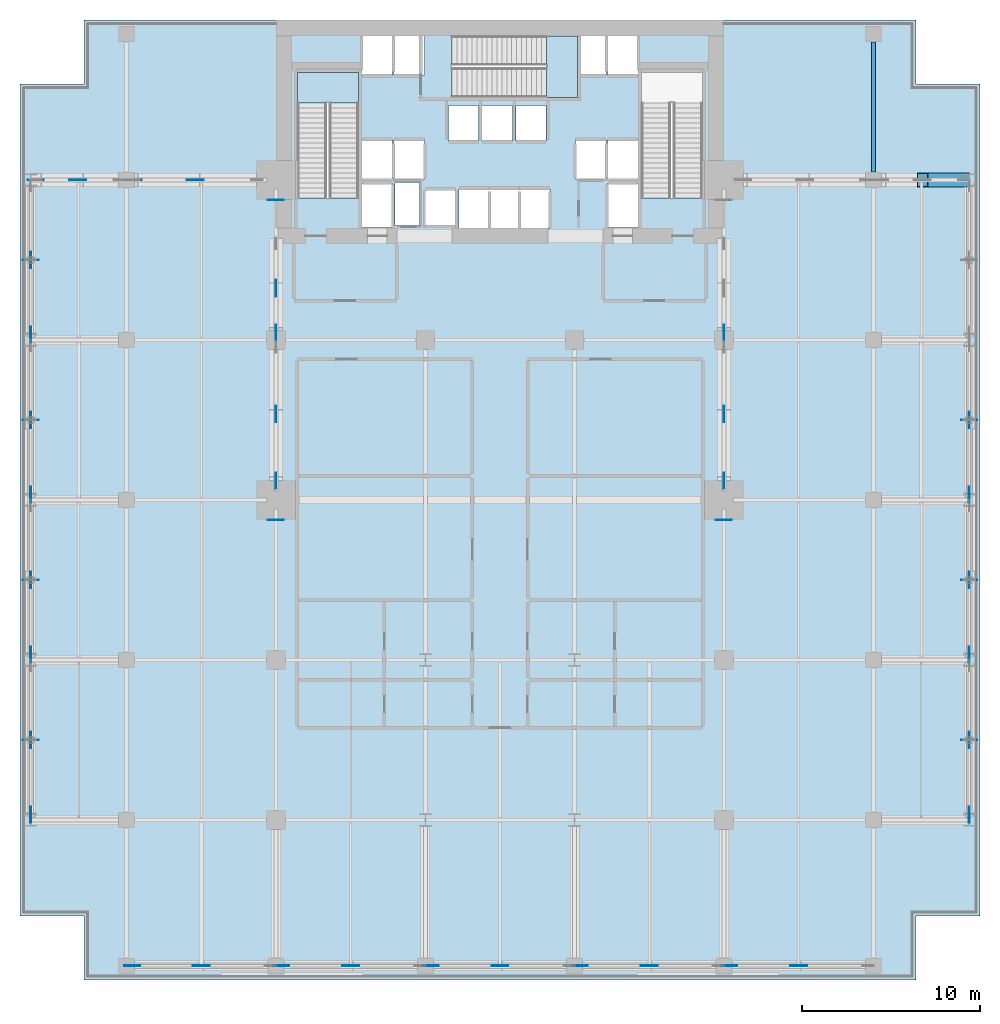
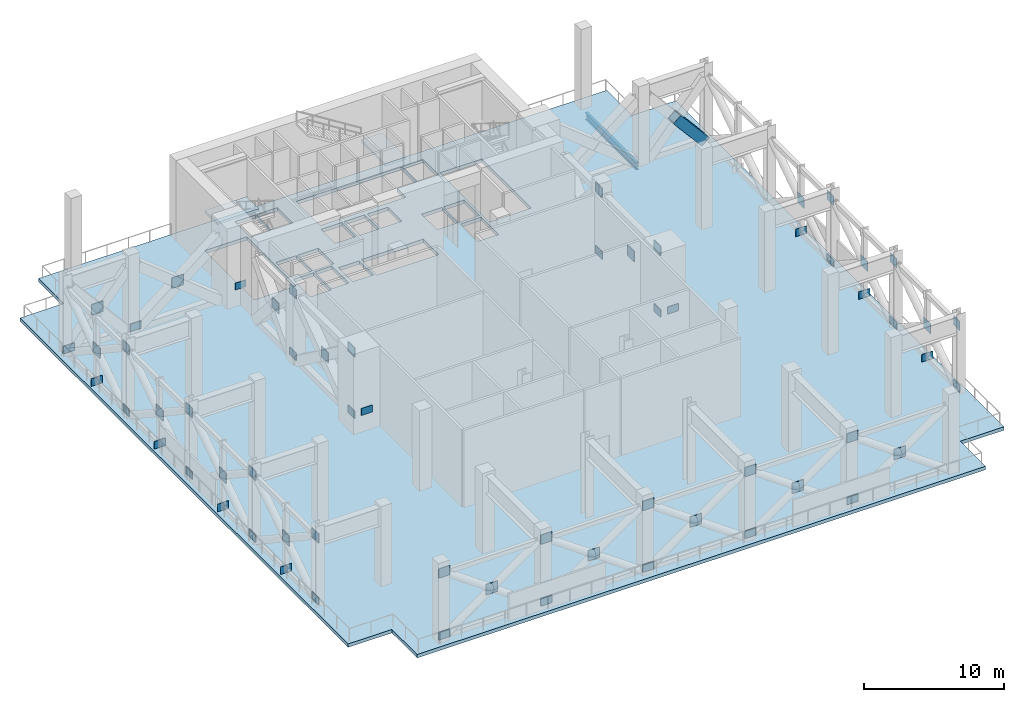
# One storey, part 6 of 16: 61 plates, 3 slabs, 1 beam, 1 member, 2 elements without a shape of their own.
"""IFC4 building model written with IfcOpenShell, lengths in metres."""

from ifc_helpers import new_model, si_unit, direction, frame, origin, origin_2d, place, context, subcontext, project, spatial, polyline, rectangle, hollow_rectangle, i_section, outline, extrude, material, layer, layer_set, material_profile, profile_set, type_object, element, aggregate, save


model = new_model("IFC4")

# Units and contexts
model_context = context("Model", 3, precision=1e-05, world=origin(), true_north=direction((0.0, 1.0)))
body_context = subcontext(model_context, "Body", "Model", "MODEL_VIEW")
ifc_project = project(units=[si_unit("LENGTHUNIT", "METRE"), si_unit("AREAUNIT", "SQUARE_METRE"), si_unit("VOLUMEUNIT", "CUBIC_METRE"), si_unit("PLANEANGLEUNIT", "RADIAN"), si_unit("MASSUNIT", "GRAM", prefix="KILO")], contexts=[model_context])

# Site, building, storey
site_placement = place(None, origin())
site = spatial("IfcSite", under=ifc_project, at=site_placement, CompositionType="ELEMENT")
building_placement = place(site_placement, origin())
building = spatial("IfcBuilding", under=site, at=building_placement, Name="Maruvema Waterfront Hotel and Observation Tower", CompositionType="ELEMENT")
storey_placement = place(building_placement, frame((0.0, 0.0, 115.5)))
storey = spatial("IfcBuildingStorey", under=building, at=storey_placement, Name="L28", CompositionType="ELEMENT", Elevation=115.5)

# Member
ifc_material_1 = material(Name="Steel ABNT NBR 7007 AR 415 (ASTM A572 Grade 50)", Category="steel")
ifc_material_profile_1 = material_profile(ifc_material_1, hollow_rectangle(XDim=0.800048828125, YDim=0.800048828125, WallThickness=0.044921875, at=origin_2d()), Name="SHS800x800x45.0")
ifc_profile_set_1 = profile_set([ifc_material_profile_1], Name="Steel ABNT NBR 7007 AR 415 (ASTM A572 Grade 50)")
member_type = type_object("IfcMemberType", Name="Outrigger Truss Diagonal SHS800x800x45.0", PredefinedType="BRACE", material=ifc_profile_set_1)
member_placement = place(storey_placement, frame((63.89990234375, 45.0, 0.25), z_axis=(-0.647587538923, 0.0, 0.761991062567), x_axis=(0.0, -1.0, 0.0)))
element("IfcMember", 1, at=member_placement, inside=storey, type_object=member_type, Name="L28 Outrigger Wing Diagonal E2 Split Lower B1", PredefinedType="BRACE", context=body_context, shape_type="SweptSolid", body=[
    extrude(hollow_rectangle(XDim=0.800048828125, YDim=0.800048828125, WallThickness=0.044921875, at=origin_2d()), origin(), (0.0, 0.0, 1.0), 3.608642578125),
])

# Beam
ifc_material_2 = material(Name="Steel ASTM A572 Grade 50", Category="steel")
ifc_material_profile_2 = material_profile(ifc_material_2, i_section(OverallWidth=0.22900390625, OverallDepth=0.612060546875, WebThickness=0.011962890625, FlangeThickness=0.01953125, FilletRadius=0.01806640625, at=origin_2d()), Name="W610x125.0")
ifc_profile_set_2 = profile_set([ifc_material_profile_2], Name="Steel ASTM A572 Grade 50")
beam_type = type_object("IfcBeamType", Name="Primary Floor Girder W610x125.0", PredefinedType="BEAM", material=ifc_profile_set_2)
beam_placement = place(storey_placement, frame((58.800048828125, 45.449951171875, -0.60595703125), z_axis=(0.0, 1.0, 0.0), x_axis=(-1.0, 0.0, 0.0)))
element("IfcBeam", 2, at=beam_placement, inside=storey, type_object=beam_type, Name="L28 Floor Girder NS-32", PredefinedType="BEAM", context=body_context, shape_type="SweptSolid", body=[
    extrude(i_section(OverallWidth=0.22900390625, OverallDepth=0.612060546875, WebThickness=0.011962890625, FlangeThickness=0.01953125, FilletRadius=0.01806640625, at=origin_2d()), origin(), (0.0, 0.0, 1.0), 7.300048828125),
])

# Slab
ifc_material_3 = material(Name="Concrete C50/60", Category="concrete")
ifc_layer_1 = layer(ifc_material_3, 0.300048828125, Name="Reinforced Concrete Floor Slab 300 mm")
ifc_layer_set_1 = layer_set([ifc_layer_1], Name="Concrete C50/60")
slab_type_1 = type_object("IfcSlabType", Name="Reinforced Concrete Floor Slab 300 mm", PredefinedType="FLOOR", material=ifc_layer_set_1)
slab_1_placement = place(storey_placement, frame((0.0, 0.0, -0.300048828125)))
element("IfcSlab", 3, at=slab_1_placement, inside=storey, type_object=slab_type_1, Name="L28 Structural Floor Slab", PredefinedType="FLOOR", context=body_context, shape_type="SweptSolid", body=[
    extrude(outline(polyline([(14.39990234375, 0.0), (61.199951171875, 0.0), (61.199951171875, 3.60009765625), (64.800048828125, 3.60009765625), (64.800048828125, 50.39990234375), (61.199951171875, 50.39990234375), (61.199951171875, 54.0), (14.39990234375, 54.0), (14.39990234375, 50.39990234375), (10.800048828125, 50.39990234375), (10.800048828125, 3.60009765625), (14.39990234375, 3.60009765625), (14.39990234375, 0.0)]), holes=[polyline([(26.39990234375, 44.00048828125), (26.39990234375, 51.050048828125), (29.85009765625, 51.050048828125), (29.85009765625, 44.00048828125), (26.39990234375, 44.00048828125)]), polyline([(30.050048828125, 44.800048828125), (31.75, 44.800048828125), (31.75, 42.320068359375), (30.050048828125, 42.320068359375), (30.050048828125, 44.800048828125)]), polyline([(31.75, 47.25), (31.75, 45.050048828125), (30.050048828125, 45.050048828125), (30.050048828125, 47.25), (31.75, 47.25)]), polyline([(31.75, 53.10009765625), (31.75, 50.89990234375), (30.050048828125, 50.89990234375), (30.050048828125, 53.10009765625), (31.75, 53.10009765625)]), polyline([(33.280029296875, 44.860107421875), (33.280029296875, 42.43994140625), (31.8798828125, 42.43994140625), (31.8798828125, 44.860107421875), (33.280029296875, 44.860107421875)]), polyline([(31.85009765625, 47.25), (33.550048828125, 47.25), (33.550048828125, 45.050048828125), (31.85009765625, 45.050048828125), (31.85009765625, 47.25)]), polyline([(31.85009765625, 53.10009765625), (33.550048828125, 53.10009765625), (33.550048828125, 50.89990234375), (31.85009765625, 50.89990234375), (31.85009765625, 53.10009765625)]), polyline([(33.60009765625, 44.449951171875), (35.300048828125, 44.449951171875), (35.300048828125, 42.449951171875), (33.60009765625, 42.449951171875), (33.60009765625, 44.449951171875)]), polyline([(34.89990234375, 49.199951171875), (36.60009765625, 49.199951171875), (36.60009765625, 47.199951171875), (34.89990234375, 47.199951171875), (34.89990234375, 49.199951171875)]), polyline([(38.5, 49.199951171875), (38.5, 47.199951171875), (36.800048828125, 47.199951171875), (36.800048828125, 49.199951171875), (38.5, 49.199951171875)]), polyline([(35.5, 44.5), (40.60009765625, 44.5), (40.60009765625, 42.300048828125), (35.5, 42.300048828125), (35.5, 44.5)]), polyline([(43.75, 50.89990234375), (42.14990234375, 50.89990234375), (42.14990234375, 49.64990234375), (35.1005859375, 49.64990234375), (35.1005859375, 53.10009765625), (43.75, 53.10009765625), (43.75, 50.89990234375)]), polyline([(40.39990234375, 49.199951171875), (40.39990234375, 47.199951171875), (38.699951171875, 47.199951171875), (38.699951171875, 49.199951171875), (40.39990234375, 49.199951171875)]), polyline([(43.75, 47.25), (43.75, 45.050048828125), (42.050048828125, 45.050048828125), (42.050048828125, 47.25), (43.75, 47.25)]), polyline([(45.550048828125, 44.800048828125), (45.550048828125, 42.320068359375), (43.85009765625, 42.320068359375), (43.85009765625, 44.800048828125), (45.550048828125, 44.800048828125)]), polyline([(43.85009765625, 47.25), (45.550048828125, 47.25), (45.550048828125, 45.050048828125), (43.85009765625, 45.050048828125), (43.85009765625, 47.25)]), polyline([(45.550048828125, 53.10009765625), (45.550048828125, 50.89990234375), (43.85009765625, 50.89990234375), (43.85009765625, 53.10009765625), (45.550048828125, 53.10009765625)]), polyline([(45.75, 51.050048828125), (49.199951171875, 51.050048828125), (49.199951171875, 44.00048828125), (45.75, 44.00048828125), (45.75, 51.050048828125)])]), origin(), (0.0, 0.0, 1.0), 0.300048828125),
])

# Stair, slab
ifc_material_4 = material(Name="Concrete C50/60", Category="concrete")
stair_type = type_object("IfcStairType", Name="Dogleg Exit Stair 1650 mm (40R x 175.0 mm)", PredefinedType="HALF_TURN_STAIR", material=ifc_material_4)
stair_1_placement = place(storey_placement, origin())
stair_1 = element("IfcStair", 4, at=stair_1_placement, inside=storey, type_object=stair_type, Name="L28 ST-01", PredefinedType="HALF_TURN_STAIR")
ifc_material_5 = material(Name="Concrete C50/60", Category="concrete")
ifc_layer_2 = layer(ifc_material_5, 0.219970703125, Name="Stair Concrete Landing Slab 220 mm")
ifc_layer_set_2 = layer_set([ifc_layer_2], Name="Concrete C50/60")
slab_type_2 = type_object("IfcSlabType", Name="Stair Concrete Landing Slab 220 mm", PredefinedType="LANDING", material=ifc_layer_set_2)
slab_2_placement = place(storey_placement, frame((0.0, 0.0, 3.280029296875)))
slab_2 = element("IfcSlab", 5, at=slab_2_placement, type_object=slab_type_2, Name="ST-01 landing 1", PredefinedType="LANDING", context=body_context, shape_type="SweptSolid", body=[
    extrude(outline(polyline([(29.85009765625, 49.320068359375), (29.85009765625, 51.050048828125), (26.39990234375, 51.050048828125), (26.39990234375, 49.320068359375), (29.85009765625, 49.320068359375)])), origin(), (0.0, 0.0, 1.0), 0.219970703125),
])
aggregate(stair_1, [slab_2])

stair_2_placement = place(storey_placement, origin())
stair_2 = element("IfcStair", 6, at=stair_2_placement, inside=storey, type_object=stair_type, Name="L28 ST-02", PredefinedType="HALF_TURN_STAIR")
slab_3_placement = place(storey_placement, frame((0.0, 0.0, 3.280029296875)))
slab_3 = element("IfcSlab", 7, at=slab_3_placement, type_object=slab_type_2, Name="ST-02 landing 1", PredefinedType="LANDING", context=body_context, shape_type="SweptSolid", body=[
    extrude(outline(polyline([(40.419921875, 49.64990234375), (42.14990234375, 49.64990234375), (42.14990234375, 53.10009765625), (40.419921875, 53.10009765625), (40.419921875, 49.64990234375)])), origin(), (0.0, 0.0, 1.0), 0.219970703125),
])
aggregate(stair_2, [slab_3])

# Plates
ifc_material_6 = material(Name="Steel ABNT NBR 7007 AR 415 (ASTM A572 Grade 50)", Category="steel")
ifc_layer_3 = layer(ifc_material_6, 0.0400390625, Name="Structural Truss Node Gusset Plate 40 mm")
ifc_layer_set_3 = layer_set([ifc_layer_3], Name="Steel ABNT NBR 7007 AR 415 (ASTM A572 Grade 50)")
plate_type = type_object("IfcPlateType", Name="Structural Truss Node Gusset Plate 40 mm", PredefinedType="USERDEFINED", material=ifc_layer_set_3)
for number, where, z_axis, x_axis, name in (
    (8, (25.199951171875, 25.8798828125, 1.5), (0.0, 0.0, 1.0), (1.0, 0.0, 0.0), "L28 MC-01 Moment Frame Continuity Gusset Plate"),
    (9, (50.39990234375, 25.8798828125, 1.5), (0.0, 0.0, 1.0), (1.0, 0.0, 0.0), "L28 MC-02 Moment Frame Continuity Gusset Plate"),
    (10, (25.199951171875, 43.8798828125, 1.5), (0.0, 0.0, 1.0), (1.0, 0.0, 0.0), "L28 MC-03 Moment Frame Continuity Gusset Plate"),
):
    element("IfcPlate", number, at=place(storey_placement, frame(where, z_axis=z_axis, x_axis=x_axis)), inside=storey, type_object=plate_type, Name=name, ObjectType="GUSSET_PLATE", PredefinedType="USERDEFINED", context=body_context, shape_type="SweptSolid", body=[
        extrude(rectangle(XDim=0.89990234375, YDim=0.0400390625, at=origin_2d()), origin(), (0.0, 0.0, 1.0), 0.60009765625),
    ])
for number, where, z_axis, x_axis, name in (
    (11, (25.199951171875, 28.080078125, -0.14990234375), (0.0, 0.0, 1.0), (0.0, 1.0, 0.0), "L28 Outrigger Truss Bottom Chord W1 Node Plate 1"),
    (12, (25.199951171875, 28.080078125, 5.3798828125), (0.0, 0.0, 1.0), (0.0, 1.0, 0.0), "L28 Outrigger Truss Top Chord W1 Node Plate 1"),
):
    element("IfcPlate", number, at=place(storey_placement, frame(where, z_axis=z_axis, x_axis=x_axis)), inside=storey, type_object=plate_type, Name=name, ObjectType="GUSSET_PLATE", PredefinedType="USERDEFINED", context=body_context, shape_type="SweptSolid", body=[
        extrude(rectangle(XDim=0.89990234375, YDim=0.0400390625, at=origin_2d()), origin(), (0.0, 0.0, 1.0), 0.800048828125),
    ])
plate_1_placement = place(storey_placement, frame((25.199951171875, 31.840087890625, 2.56494140625), z_axis=(0.0, 0.0, 1.0), x_axis=(0.0, -1.0, 0.0)))
element("IfcPlate", 13, at=plate_1_placement, inside=storey, type_object=plate_type, Name="L28 Outrigger Truss Diagonal W1 Crossing Gusset Node Plate", ObjectType="GUSSET_PLATE", PredefinedType="USERDEFINED", context=body_context, shape_type="SweptSolid", body=[
    extrude(rectangle(XDim=0.949951171875, YDim=0.0400390625, at=origin_2d()), origin(), (0.0, 0.0, 1.0), 0.89990234375),
])
for number, where, z_axis, x_axis, name in (
    (14, (25.199951171875, 36.39990234375, -0.14990234375), (0.0, 0.0, 1.0), (0.0, 1.0, 0.0), "L28 Outrigger Truss Bottom Chord W2 Node Plate 1"),
    (15, (25.199951171875, 36.39990234375, 5.3798828125), (0.0, 0.0, 1.0), (0.0, 1.0, 0.0), "L28 Outrigger Truss Top Chord W2 Node Plate 1"),
):
    element("IfcPlate", number, at=place(storey_placement, frame(where, z_axis=z_axis, x_axis=x_axis)), inside=storey, type_object=plate_type, Name=name, ObjectType="GUSSET_PLATE", PredefinedType="USERDEFINED", context=body_context, shape_type="SweptSolid", body=[
        extrude(rectangle(XDim=0.89990234375, YDim=0.0400390625, at=origin_2d()), origin(), (0.0, 0.0, 1.0), 0.800048828125),
    ])
plate_2_placement = place(storey_placement, frame((25.199951171875, 38.909912109375, 2.56494140625), z_axis=(0.0, 0.0, 1.0), x_axis=(0.0, -1.0, 0.0)))
element("IfcPlate", 16, at=plate_2_placement, inside=storey, type_object=plate_type, Name="L28 Outrigger Truss Diagonal W2 Crossing Gusset Node Plate", ObjectType="GUSSET_PLATE", PredefinedType="USERDEFINED", context=body_context, shape_type="SweptSolid", body=[
    extrude(rectangle(XDim=0.949951171875, YDim=0.0400390625, at=origin_2d()), origin(), (0.0, 0.0, 1.0), 0.89990234375),
])
for number, where, z_axis, x_axis, name in (
    (17, (50.39990234375, 28.080078125, -0.14990234375), (0.0, 0.0, 1.0), (0.0, 1.0, 0.0), "L28 Outrigger Truss Bottom Chord E1 Node Plate 1"),
    (18, (50.39990234375, 28.080078125, 5.3798828125), (0.0, 0.0, 1.0), (0.0, 1.0, 0.0), "L28 Outrigger Truss Top Chord E1 Node Plate 1"),
):
    element("IfcPlate", number, at=place(storey_placement, frame(where, z_axis=z_axis, x_axis=x_axis)), inside=storey, type_object=plate_type, Name=name, ObjectType="GUSSET_PLATE", PredefinedType="USERDEFINED", context=body_context, shape_type="SweptSolid", body=[
        extrude(rectangle(XDim=0.89990234375, YDim=0.0400390625, at=origin_2d()), origin(), (0.0, 0.0, 1.0), 0.800048828125),
    ])
plate_3_placement = place(storey_placement, frame((50.39990234375, 31.840087890625, 2.56494140625), z_axis=(0.0, 0.0, 1.0), x_axis=(0.0, -1.0, 0.0)))
element("IfcPlate", 19, at=plate_3_placement, inside=storey, type_object=plate_type, Name="L28 Outrigger Truss Diagonal E1 Crossing Gusset Node Plate", ObjectType="GUSSET_PLATE", PredefinedType="USERDEFINED", context=body_context, shape_type="SweptSolid", body=[
    extrude(rectangle(XDim=0.949951171875, YDim=0.0400390625, at=origin_2d()), origin(), (0.0, 0.0, 1.0), 0.89990234375),
])
for number, where, z_axis, x_axis, name in (
    (20, (50.39990234375, 36.39990234375, -0.14990234375), (0.0, 0.0, 1.0), (0.0, 1.0, 0.0), "L28 Outrigger Truss Bottom Chord E2 Node Plate 1"),
    (21, (50.39990234375, 36.39990234375, 5.3798828125), (0.0, 0.0, 1.0), (0.0, 1.0, 0.0), "L28 Outrigger Truss Top Chord E2 Node Plate 1"),
    (22, (11.699951171875, 45.0, -0.14990234375), (0.0, 0.0, 1.0), (1.0, 0.0, 0.0), "L28 Outrigger Wing Bottom Chord W1 Node Plate 1"),
):
    element("IfcPlate", number, at=place(storey_placement, frame(where, z_axis=z_axis, x_axis=x_axis)), inside=storey, type_object=plate_type, Name=name, ObjectType="GUSSET_PLATE", PredefinedType="USERDEFINED", context=body_context, shape_type="SweptSolid", body=[
        extrude(rectangle(XDim=0.89990234375, YDim=0.0400390625, at=origin_2d()), origin(), (0.0, 0.0, 1.0), 0.800048828125),
    ])
plate_4_placement = place(storey_placement, frame((14.050048828125, 45.0, 2.56494140625), z_axis=(0.0, 0.0, 1.0), x_axis=(-1.0, 0.0, 0.0)))
element("IfcPlate", 23, at=plate_4_placement, inside=storey, type_object=plate_type, Name="L28 Outrigger Wing Diagonal W1 Crossing Gusset Node Plate", ObjectType="GUSSET_PLATE", PredefinedType="USERDEFINED", context=body_context, shape_type="SweptSolid", body=[
    extrude(rectangle(XDim=0.949951171875, YDim=0.0400390625, at=origin_2d()), origin(), (0.0, 0.0, 1.0), 0.89990234375),
])
plate_5_placement = place(storey_placement, frame((17.199951171875, 45.0, -0.14990234375), z_axis=(0.0, 0.0, 1.0), x_axis=(1.0, 0.0, 0.0)))
element("IfcPlate", 24, at=plate_5_placement, inside=storey, type_object=plate_type, Name="L28 Outrigger Wing Bottom Chord W2 Node Plate 1", ObjectType="GUSSET_PLATE", PredefinedType="USERDEFINED", context=body_context, shape_type="SweptSolid", body=[
    extrude(rectangle(XDim=0.89990234375, YDim=0.0400390625, at=origin_2d()), origin(), (0.0, 0.0, 1.0), 0.800048828125),
])
plate_6_placement = place(storey_placement, frame((20.659912109375, 45.0, 2.56494140625), z_axis=(0.0, 0.0, 1.0), x_axis=(-1.0, 0.0, 0.0)))
element("IfcPlate", 25, at=plate_6_placement, inside=storey, type_object=plate_type, Name="L28 Outrigger Wing Diagonal W2 Crossing Gusset Node Plate", ObjectType="GUSSET_PLATE", PredefinedType="USERDEFINED", context=body_context, shape_type="SweptSolid", body=[
    extrude(rectangle(XDim=0.949951171875, YDim=0.0400390625, at=origin_2d()), origin(), (0.0, 0.0, 1.0), 0.89990234375),
])
for number, where, z_axis, x_axis, name in (
    (26, (11.39990234375, 9.300048828125, -0.14990234375), (0.0, 0.0, 1.0), (0.0, 1.0, 0.0), "L28 Perimeter Belt Truss Chord W1 Node Plate 1"),
    (27, (11.39990234375, 9.300048828125, 5.3798828125), (0.0, 0.0, 1.0), (0.0, 1.0, 0.0), "L28 Perimeter Belt Truss Top Chord W1 Node Plate 1"),
    (28, (11.39990234375, 13.5, -0.14990234375), (0.0, 0.0, 1.0), (1.0, 0.0, 0.0), "L28 Perimeter Belt Truss Post W1 Node Plate 1"),
):
    element("IfcPlate", number, at=place(storey_placement, frame(where, z_axis=z_axis, x_axis=x_axis)), inside=storey, type_object=plate_type, Name=name, ObjectType="GUSSET_PLATE", PredefinedType="USERDEFINED", context=body_context, shape_type="SweptSolid", body=[
        extrude(rectangle(XDim=0.89990234375, YDim=0.0400390625, at=origin_2d()), origin(), (0.0, 0.0, 1.0), 0.800048828125),
    ])
plate_7_placement = place(storey_placement, frame((11.39990234375, 13.5, 2.56494140625), z_axis=(0.0, 0.0, 1.0), x_axis=(0.0, -1.0, 0.0)))
element("IfcPlate", 29, at=plate_7_placement, inside=storey, type_object=plate_type, Name="L28 Perimeter Belt Truss Diagonal W1 Crossing Gusset Node Plate", ObjectType="GUSSET_PLATE", PredefinedType="USERDEFINED", context=body_context, shape_type="SweptSolid", body=[
    extrude(rectangle(XDim=0.949951171875, YDim=0.0400390625, at=origin_2d()), origin(), (0.0, 0.0, 1.0), 0.89990234375),
])
for number, where, z_axis, x_axis, name in (
    (30, (11.39990234375, 18.300048828125, -0.14990234375), (0.0, 0.0, 1.0), (0.0, 1.0, 0.0), "L28 Perimeter Belt Truss Chord W2 Node Plate 1"),
    (31, (11.39990234375, 18.300048828125, 5.3798828125), (0.0, 0.0, 1.0), (0.0, 1.0, 0.0), "L28 Perimeter Belt Truss Top Chord W2 Node Plate 1"),
    (32, (11.39990234375, 22.5, -0.14990234375), (0.0, 0.0, 1.0), (1.0, 0.0, 0.0), "L28 Perimeter Belt Truss Post W2 Node Plate 1"),
):
    element("IfcPlate", number, at=place(storey_placement, frame(where, z_axis=z_axis, x_axis=x_axis)), inside=storey, type_object=plate_type, Name=name, ObjectType="GUSSET_PLATE", PredefinedType="USERDEFINED", context=body_context, shape_type="SweptSolid", body=[
        extrude(rectangle(XDim=0.89990234375, YDim=0.0400390625, at=origin_2d()), origin(), (0.0, 0.0, 1.0), 0.800048828125),
    ])
plate_8_placement = place(storey_placement, frame((11.39990234375, 22.5, 2.56494140625), z_axis=(0.0, 0.0, 1.0), x_axis=(0.0, -1.0, 0.0)))
element("IfcPlate", 33, at=plate_8_placement, inside=storey, type_object=plate_type, Name="L28 Perimeter Belt Truss Diagonal W2 Crossing Gusset Node Plate", ObjectType="GUSSET_PLATE", PredefinedType="USERDEFINED", context=body_context, shape_type="SweptSolid", body=[
    extrude(rectangle(XDim=0.949951171875, YDim=0.0400390625, at=origin_2d()), origin(), (0.0, 0.0, 1.0), 0.89990234375),
])
for number, where, z_axis, x_axis, name in (
    (34, (11.39990234375, 27.300048828125, -0.14990234375), (0.0, 0.0, 1.0), (0.0, 1.0, 0.0), "L28 Perimeter Belt Truss Chord W3 Node Plate 1"),
    (35, (11.39990234375, 27.300048828125, 5.3798828125), (0.0, 0.0, 1.0), (0.0, 1.0, 0.0), "L28 Perimeter Belt Truss Top Chord W3 Node Plate 1"),
    (36, (11.39990234375, 31.5, -0.14990234375), (0.0, 0.0, 1.0), (1.0, 0.0, 0.0), "L28 Perimeter Belt Truss Post W3 Node Plate 1"),
):
    element("IfcPlate", number, at=place(storey_placement, frame(where, z_axis=z_axis, x_axis=x_axis)), inside=storey, type_object=plate_type, Name=name, ObjectType="GUSSET_PLATE", PredefinedType="USERDEFINED", context=body_context, shape_type="SweptSolid", body=[
        extrude(rectangle(XDim=0.89990234375, YDim=0.0400390625, at=origin_2d()), origin(), (0.0, 0.0, 1.0), 0.800048828125),
    ])
plate_9_placement = place(storey_placement, frame((11.39990234375, 31.5, 2.56494140625), z_axis=(0.0, 0.0, 1.0), x_axis=(0.0, -1.0, 0.0)))
element("IfcPlate", 37, at=plate_9_placement, inside=storey, type_object=plate_type, Name="L28 Perimeter Belt Truss Diagonal W3 Crossing Gusset Node Plate", ObjectType="GUSSET_PLATE", PredefinedType="USERDEFINED", context=body_context, shape_type="SweptSolid", body=[
    extrude(rectangle(XDim=0.949951171875, YDim=0.0400390625, at=origin_2d()), origin(), (0.0, 0.0, 1.0), 0.89990234375),
])
for number, where, z_axis, x_axis, name in (
    (38, (11.39990234375, 36.300048828125, -0.14990234375), (0.0, 0.0, 1.0), (0.0, 1.0, 0.0), "L28 Perimeter Belt Truss Chord W4 Node Plate 1"),
    (39, (11.39990234375, 36.300048828125, 5.3798828125), (0.0, 0.0, 1.0), (0.0, 1.0, 0.0), "L28 Perimeter Belt Truss Top Chord W4 Node Plate 1"),
    (40, (11.39990234375, 40.5, -0.14990234375), (0.0, 0.0, 1.0), (1.0, 0.0, 0.0), "L28 Perimeter Belt Truss Post W4 Node Plate 1"),
):
    element("IfcPlate", number, at=place(storey_placement, frame(where, z_axis=z_axis, x_axis=x_axis)), inside=storey, type_object=plate_type, Name=name, ObjectType="GUSSET_PLATE", PredefinedType="USERDEFINED", context=body_context, shape_type="SweptSolid", body=[
        extrude(rectangle(XDim=0.89990234375, YDim=0.0400390625, at=origin_2d()), origin(), (0.0, 0.0, 1.0), 0.800048828125),
    ])
plate_10_placement = place(storey_placement, frame((11.39990234375, 40.5, 2.56494140625), z_axis=(0.0, 0.0, 1.0), x_axis=(0.0, -1.0, 0.0)))
element("IfcPlate", 41, at=plate_10_placement, inside=storey, type_object=plate_type, Name="L28 Perimeter Belt Truss Diagonal W4 Crossing Gusset Node Plate", ObjectType="GUSSET_PLATE", PredefinedType="USERDEFINED", context=body_context, shape_type="SweptSolid", body=[
    extrude(rectangle(XDim=0.949951171875, YDim=0.0400390625, at=origin_2d()), origin(), (0.0, 0.0, 1.0), 0.89990234375),
])
for number, where, z_axis, x_axis, name in (
    (42, (64.199951171875, 9.300048828125, -0.14990234375), (0.0, 0.0, 1.0), (0.0, 1.0, 0.0), "L28 Perimeter Belt Truss Chord E5 Node Plate 1"),
    (43, (64.199951171875, 9.300048828125, 5.3798828125), (0.0, 0.0, 1.0), (0.0, 1.0, 0.0), "L28 Perimeter Belt Truss Top Chord E5 Node Plate 1"),
    (44, (64.199951171875, 13.5, -0.14990234375), (0.0, 0.0, 1.0), (1.0, 0.0, 0.0), "L28 Perimeter Belt Truss Post E5 Node Plate 1"),
):
    element("IfcPlate", number, at=place(storey_placement, frame(where, z_axis=z_axis, x_axis=x_axis)), inside=storey, type_object=plate_type, Name=name, ObjectType="GUSSET_PLATE", PredefinedType="USERDEFINED", context=body_context, shape_type="SweptSolid", body=[
        extrude(rectangle(XDim=0.89990234375, YDim=0.0400390625, at=origin_2d()), origin(), (0.0, 0.0, 1.0), 0.800048828125),
    ])
plate_11_placement = place(storey_placement, frame((64.199951171875, 13.5, 2.56494140625), z_axis=(0.0, 0.0, 1.0), x_axis=(0.0, -1.0, 0.0)))
element("IfcPlate", 45, at=plate_11_placement, inside=storey, type_object=plate_type, Name="L28 Perimeter Belt Truss Diagonal E5 Crossing Gusset Node Plate", ObjectType="GUSSET_PLATE", PredefinedType="USERDEFINED", context=body_context, shape_type="SweptSolid", body=[
    extrude(rectangle(XDim=0.949951171875, YDim=0.0400390625, at=origin_2d()), origin(), (0.0, 0.0, 1.0), 0.89990234375),
])
for number, where, z_axis, x_axis, name in (
    (46, (64.199951171875, 18.300048828125, -0.14990234375), (0.0, 0.0, 1.0), (0.0, 1.0, 0.0), "L28 Perimeter Belt Truss Chord E6 Node Plate 1"),
    (47, (64.199951171875, 18.300048828125, 5.3798828125), (0.0, 0.0, 1.0), (0.0, 1.0, 0.0), "L28 Perimeter Belt Truss Top Chord E6 Node Plate 1"),
    (48, (64.199951171875, 22.5, -0.14990234375), (0.0, 0.0, 1.0), (1.0, 0.0, 0.0), "L28 Perimeter Belt Truss Post E6 Node Plate 1"),
):
    element("IfcPlate", number, at=place(storey_placement, frame(where, z_axis=z_axis, x_axis=x_axis)), inside=storey, type_object=plate_type, Name=name, ObjectType="GUSSET_PLATE", PredefinedType="USERDEFINED", context=body_context, shape_type="SweptSolid", body=[
        extrude(rectangle(XDim=0.89990234375, YDim=0.0400390625, at=origin_2d()), origin(), (0.0, 0.0, 1.0), 0.800048828125),
    ])
plate_12_placement = place(storey_placement, frame((64.199951171875, 22.5, 2.56494140625), z_axis=(0.0, 0.0, 1.0), x_axis=(0.0, -1.0, 0.0)))
element("IfcPlate", 49, at=plate_12_placement, inside=storey, type_object=plate_type, Name="L28 Perimeter Belt Truss Diagonal E6 Crossing Gusset Node Plate", ObjectType="GUSSET_PLATE", PredefinedType="USERDEFINED", context=body_context, shape_type="SweptSolid", body=[
    extrude(rectangle(XDim=0.949951171875, YDim=0.0400390625, at=origin_2d()), origin(), (0.0, 0.0, 1.0), 0.89990234375),
])
for number, where, z_axis, x_axis, name in (
    (50, (64.199951171875, 27.300048828125, -0.14990234375), (0.0, 0.0, 1.0), (0.0, 1.0, 0.0), "L28 Perimeter Belt Truss Chord E7 Node Plate 1"),
    (51, (64.199951171875, 27.300048828125, 5.3798828125), (0.0, 0.0, 1.0), (0.0, 1.0, 0.0), "L28 Perimeter Belt Truss Top Chord E7 Node Plate 1"),
    (52, (64.199951171875, 31.5, -0.14990234375), (0.0, 0.0, 1.0), (1.0, 0.0, 0.0), "L28 Perimeter Belt Truss Post E7 Node Plate 1"),
):
    element("IfcPlate", number, at=place(storey_placement, frame(where, z_axis=z_axis, x_axis=x_axis)), inside=storey, type_object=plate_type, Name=name, ObjectType="GUSSET_PLATE", PredefinedType="USERDEFINED", context=body_context, shape_type="SweptSolid", body=[
        extrude(rectangle(XDim=0.89990234375, YDim=0.0400390625, at=origin_2d()), origin(), (0.0, 0.0, 1.0), 0.800048828125),
    ])
plate_13_placement = place(storey_placement, frame((64.199951171875, 31.5, 2.56494140625), z_axis=(0.0, 0.0, 1.0), x_axis=(0.0, -1.0, 0.0)))
element("IfcPlate", 53, at=plate_13_placement, inside=storey, type_object=plate_type, Name="L28 Perimeter Belt Truss Diagonal E7 Crossing Gusset Node Plate", ObjectType="GUSSET_PLATE", PredefinedType="USERDEFINED", context=body_context, shape_type="SweptSolid", body=[
    extrude(rectangle(XDim=0.949951171875, YDim=0.0400390625, at=origin_2d()), origin(), (0.0, 0.0, 1.0), 0.89990234375),
])
for number, where, z_axis, x_axis, name in (
    (54, (17.10009765625, 0.800048828125, -0.14990234375), (0.0, 0.0, 1.0), (1.0, 0.0, 0.0), "L28 South Perimeter Belt Truss Chord 1 Node Plate 1"),
    (55, (17.10009765625, 0.800048828125, 5.3798828125), (0.0, 0.0, 1.0), (1.0, 0.0, 0.0), "L28 South Perimeter Belt Truss Top Chord 1 Node Plate 1"),
):
    element("IfcPlate", number, at=place(storey_placement, frame(where, z_axis=z_axis, x_axis=x_axis)), inside=storey, type_object=plate_type, Name=name, ObjectType="GUSSET_PLATE", PredefinedType="USERDEFINED", context=body_context, shape_type="SweptSolid", body=[
        extrude(rectangle(XDim=0.89990234375, YDim=0.0400390625, at=origin_2d()), origin(), (0.0, 0.0, 1.0), 0.800048828125),
    ])
plate_14_placement = place(storey_placement, frame((21.0, 0.800048828125, 2.56494140625), z_axis=(0.0, 0.0, 1.0), x_axis=(-1.0, 0.0, 0.0)))
element("IfcPlate", 56, at=plate_14_placement, inside=storey, type_object=plate_type, Name="L28 South Perimeter Belt Truss Diagonal 1 Crossing Gusset Node Plate", ObjectType="GUSSET_PLATE", PredefinedType="USERDEFINED", context=body_context, shape_type="SweptSolid", body=[
    extrude(rectangle(XDim=0.949951171875, YDim=0.0400390625, at=origin_2d()), origin(), (0.0, 0.0, 1.0), 0.89990234375),
])
for number, where, z_axis, x_axis, name in (
    (57, (25.5, 0.800048828125, -0.14990234375), (0.0, 0.0, 1.0), (1.0, 0.0, 0.0), "L28 South Perimeter Belt Truss Chord 2 Node Plate 1"),
    (58, (25.5, 0.800048828125, 5.3798828125), (0.0, 0.0, 1.0), (1.0, 0.0, 0.0), "L28 South Perimeter Belt Truss Top Chord 2 Node Plate 1"),
):
    element("IfcPlate", number, at=place(storey_placement, frame(where, z_axis=z_axis, x_axis=x_axis)), inside=storey, type_object=plate_type, Name=name, ObjectType="GUSSET_PLATE", PredefinedType="USERDEFINED", context=body_context, shape_type="SweptSolid", body=[
        extrude(rectangle(XDim=0.89990234375, YDim=0.0400390625, at=origin_2d()), origin(), (0.0, 0.0, 1.0), 0.800048828125),
    ])
plate_15_placement = place(storey_placement, frame((29.39990234375, 0.800048828125, 2.56494140625), z_axis=(0.0, 0.0, 1.0), x_axis=(-1.0, 0.0, 0.0)))
element("IfcPlate", 59, at=plate_15_placement, inside=storey, type_object=plate_type, Name="L28 South Perimeter Belt Truss Diagonal 2 Crossing Gusset Node Plate", ObjectType="GUSSET_PLATE", PredefinedType="USERDEFINED", context=body_context, shape_type="SweptSolid", body=[
    extrude(rectangle(XDim=0.949951171875, YDim=0.0400390625, at=origin_2d()), origin(), (0.0, 0.0, 1.0), 0.89990234375),
])
for number, where, z_axis, x_axis, name in (
    (60, (33.89990234375, 0.800048828125, -0.14990234375), (0.0, 0.0, 1.0), (1.0, 0.0, 0.0), "L28 South Perimeter Belt Truss Chord 3 Node Plate 1"),
    (61, (33.89990234375, 0.800048828125, 5.3798828125), (0.0, 0.0, 1.0), (1.0, 0.0, 0.0), "L28 South Perimeter Belt Truss Top Chord 3 Node Plate 1"),
):
    element("IfcPlate", number, at=place(storey_placement, frame(where, z_axis=z_axis, x_axis=x_axis)), inside=storey, type_object=plate_type, Name=name, ObjectType="GUSSET_PLATE", PredefinedType="USERDEFINED", context=body_context, shape_type="SweptSolid", body=[
        extrude(rectangle(XDim=0.89990234375, YDim=0.0400390625, at=origin_2d()), origin(), (0.0, 0.0, 1.0), 0.800048828125),
    ])
plate_16_placement = place(storey_placement, frame((37.800048828125, 0.800048828125, 2.56494140625), z_axis=(0.0, 0.0, 1.0), x_axis=(-1.0, 0.0, 0.0)))
element("IfcPlate", 62, at=plate_16_placement, inside=storey, type_object=plate_type, Name="L28 South Perimeter Belt Truss Diagonal 3 Crossing Gusset Node Plate", ObjectType="GUSSET_PLATE", PredefinedType="USERDEFINED", context=body_context, shape_type="SweptSolid", body=[
    extrude(rectangle(XDim=0.949951171875, YDim=0.0400390625, at=origin_2d()), origin(), (0.0, 0.0, 1.0), 0.89990234375),
])
for number, where, z_axis, x_axis, name in (
    (63, (42.300048828125, 0.800048828125, -0.14990234375), (0.0, 0.0, 1.0), (1.0, 0.0, 0.0), "L28 South Perimeter Belt Truss Chord 4 Node Plate 1"),
    (64, (42.300048828125, 0.800048828125, 5.3798828125), (0.0, 0.0, 1.0), (1.0, 0.0, 0.0), "L28 South Perimeter Belt Truss Top Chord 4 Node Plate 1"),
):
    element("IfcPlate", number, at=place(storey_placement, frame(where, z_axis=z_axis, x_axis=x_axis)), inside=storey, type_object=plate_type, Name=name, ObjectType="GUSSET_PLATE", PredefinedType="USERDEFINED", context=body_context, shape_type="SweptSolid", body=[
        extrude(rectangle(XDim=0.89990234375, YDim=0.0400390625, at=origin_2d()), origin(), (0.0, 0.0, 1.0), 0.800048828125),
    ])
plate_17_placement = place(storey_placement, frame((46.199951171875, 0.800048828125, 2.56494140625), z_axis=(0.0, 0.0, 1.0), x_axis=(-1.0, 0.0, 0.0)))
element("IfcPlate", 65, at=plate_17_placement, inside=storey, type_object=plate_type, Name="L28 South Perimeter Belt Truss Diagonal 4 Crossing Gusset Node Plate", ObjectType="GUSSET_PLATE", PredefinedType="USERDEFINED", context=body_context, shape_type="SweptSolid", body=[
    extrude(rectangle(XDim=0.949951171875, YDim=0.0400390625, at=origin_2d()), origin(), (0.0, 0.0, 1.0), 0.89990234375),
])
for number, where, z_axis, x_axis, name in (
    (66, (50.699951171875, 0.800048828125, -0.14990234375), (0.0, 0.0, 1.0), (1.0, 0.0, 0.0), "L28 South Perimeter Belt Truss Chord 5 Node Plate 1"),
    (67, (50.699951171875, 0.800048828125, 5.3798828125), (0.0, 0.0, 1.0), (1.0, 0.0, 0.0), "L28 South Perimeter Belt Truss Top Chord 5 Node Plate 1"),
):
    element("IfcPlate", number, at=place(storey_placement, frame(where, z_axis=z_axis, x_axis=x_axis)), inside=storey, type_object=plate_type, Name=name, ObjectType="GUSSET_PLATE", PredefinedType="USERDEFINED", context=body_context, shape_type="SweptSolid", body=[
        extrude(rectangle(XDim=0.89990234375, YDim=0.0400390625, at=origin_2d()), origin(), (0.0, 0.0, 1.0), 0.800048828125),
    ])
plate_18_placement = place(storey_placement, frame((54.60009765625, 0.800048828125, 2.56494140625), z_axis=(0.0, 0.0, 1.0), x_axis=(-1.0, 0.0, 0.0)))
element("IfcPlate", 68, at=plate_18_placement, inside=storey, type_object=plate_type, Name="L28 South Perimeter Belt Truss Diagonal 5 Crossing Gusset Node Plate", ObjectType="GUSSET_PLATE", PredefinedType="USERDEFINED", context=body_context, shape_type="SweptSolid", body=[
    extrude(rectangle(XDim=0.949951171875, YDim=0.0400390625, at=origin_2d()), origin(), (0.0, 0.0, 1.0), 0.89990234375),
])

save(model, "model.ifc")
